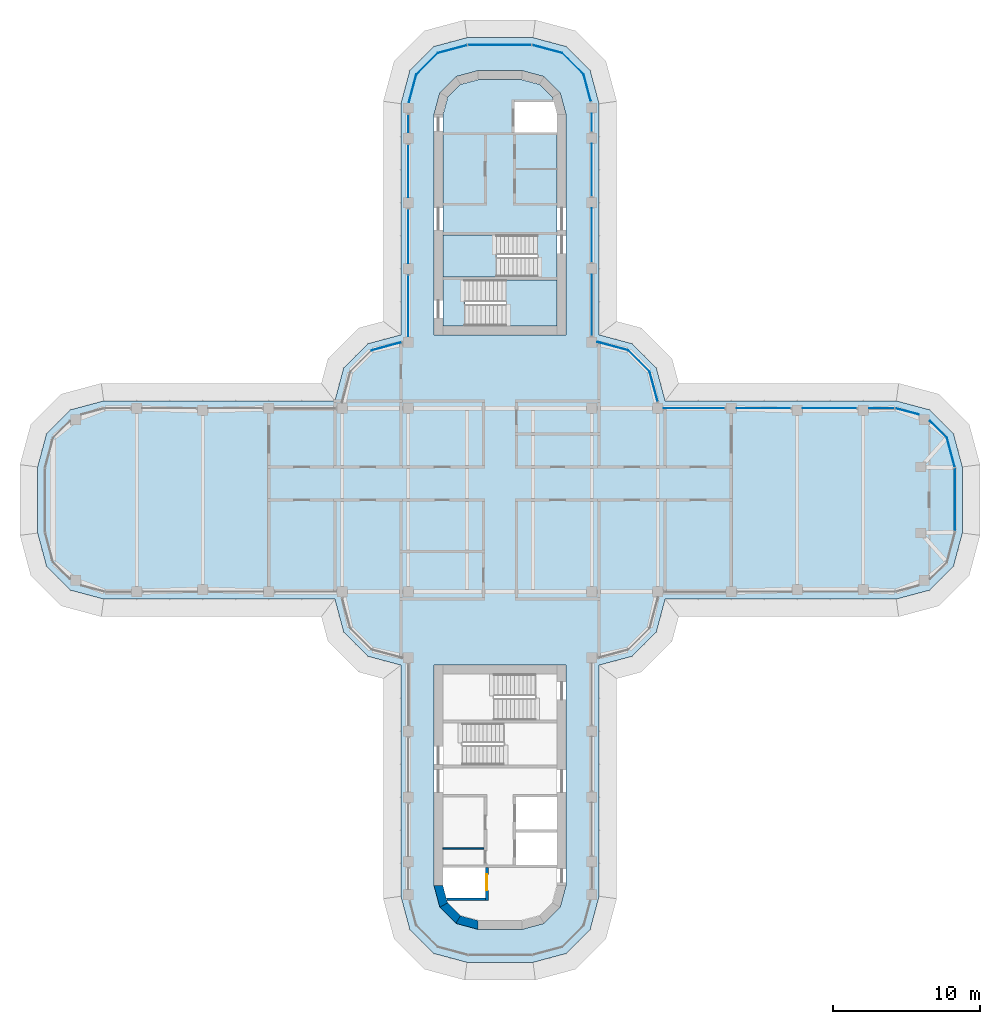
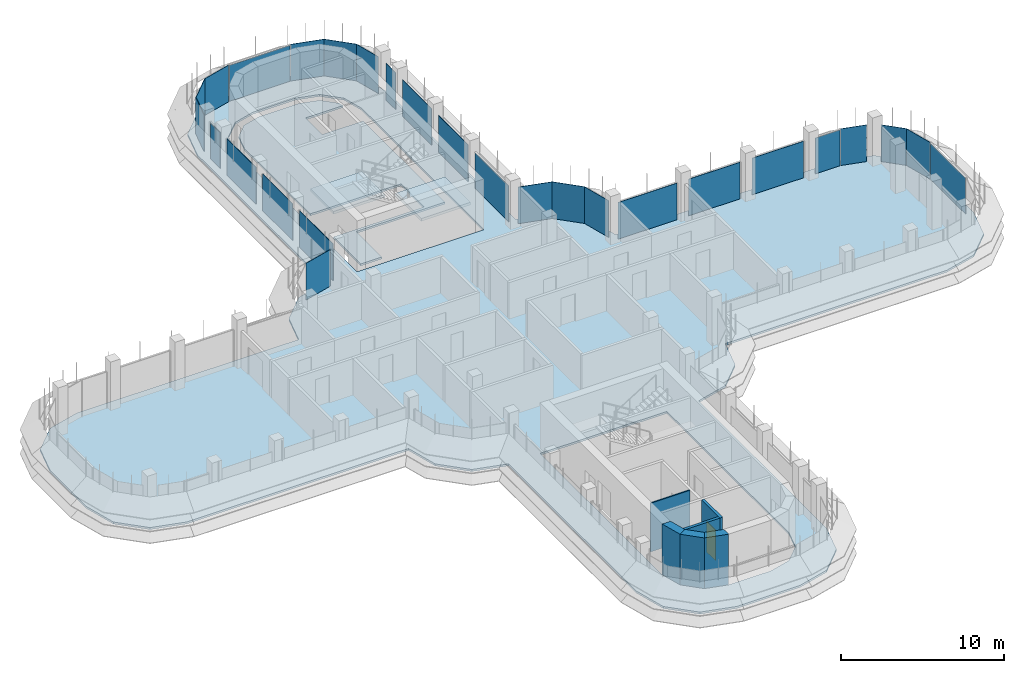
# One storey, part 12 of 18: 27 plates, 6 walls, 4 slabs, 1 door, 1 opening, 20 elements without a shape of their own.
"""IFC4 building model written with IfcOpenShell, lengths in metres."""

from ifc_helpers import new_model, si_unit, direction, frame, frame_2d, origin, place, context, subcontext, project, spatial, polyline, rectangle, outline, extrude, source, transform, mapped, material, layer, layer_set, type_object, element, fill, aggregate, save


model = new_model("IFC4")

# Units and contexts
model_context = context("Model", 3, precision=1e-05, world=origin(), true_north=direction((0.0, 1.0)))
body_context = subcontext(model_context, "Body", "Model", "MODEL_VIEW")
ifc_project = project(units=[si_unit("LENGTHUNIT", "METRE"), si_unit("AREAUNIT", "SQUARE_METRE"), si_unit("VOLUMEUNIT", "CUBIC_METRE"), si_unit("PLANEANGLEUNIT", "RADIAN"), si_unit("MASSUNIT", "GRAM", prefix="KILO")], contexts=[model_context])

# Site, building, storey
site_placement = place(None, origin())
site = spatial("IfcSite", under=ifc_project, at=site_placement, CompositionType="ELEMENT")
building_placement = place(site_placement, origin())
building = spatial("IfcBuilding", under=site, at=building_placement, Name="Zarbagh Exchange Tower", CompositionType="ELEMENT")
storey_placement = place(building_placement, frame((0.0, 0.0, 206.800048828125)))
storey = spatial("IfcBuildingStorey", under=building, at=storey_placement, Name="L50", CompositionType="ELEMENT", Elevation=206.800048828125)

# Slabs
ifc_material_1 = material(Name="Concrete C40/50", Category="concrete")
ifc_layer_1 = layer(ifc_material_1, 0.14990234375)
ifc_layer_set_1 = layer_set([ifc_layer_1], Name="Composite floor slab 150 C40/50")
slab_type_1 = type_object("IfcSlabType", Name="Composite floor slab 150 C40/50", PredefinedType="FLOOR", material=ifc_layer_set_1)
slab_1_placement = place(storey_placement, frame((0.0, 0.0, -0.150146484375)))
element("IfcSlab", 1, at=slab_1_placement, inside=storey, type_object=slab_type_1, Name="S5 composite floor slab", PredefinedType="FLOOR", context=body_context, shape_type="SweptSolid", body=[
    extrude(outline(polyline([(-2.25, -31.5), (-4.5, -30.897216796875), (-6.147216796875, -29.25), (-6.75, -27.0), (-6.75, -11.25), (-9.0, -10.647216796875), (-10.647216796875, -9.0), (-11.25, -6.75), (-27.0, -6.75), (-29.25, -6.147216796875), (-30.897216796875, -4.5), (-31.5, -2.25), (-31.5, 2.25), (-30.897216796875, 4.5), (-29.25, 6.147216796875), (-27.0, 6.75), (-11.25, 6.75), (-10.647216796875, 9.0), (-9.0, 10.647216796875), (-6.75, 11.25), (-6.75, 27.0), (-6.147216796875, 29.25), (-4.5, 30.897216796875), (-2.25, 31.5), (2.25, 31.5), (4.5, 30.897216796875), (6.147216796875, 29.25), (6.75, 27.0), (6.75, 11.25), (9.0, 10.647216796875), (10.647216796875, 9.0), (11.25, 6.75), (27.0, 6.75), (29.25, 6.147216796875), (30.897216796875, 4.5), (31.5, 2.25), (31.5, -2.25), (30.897216796875, -4.5), (29.25, -6.147216796875), (27.0, -6.75), (11.25, -6.75), (10.647216796875, -9.0), (9.0, -10.647216796875), (6.75, -11.25), (6.75, -27.0), (6.147216796875, -29.25), (4.5, -30.897216796875), (2.25, -31.5), (-2.25, -31.5)]), holes=[polyline([(4.5, 11.25), (4.5, 26.25), (4.09814453125, 27.75), (3.0, 28.84814453125), (1.5, 29.25), (-1.5, 29.25), (-3.0, 28.84814453125), (-4.09814453125, 27.75), (-4.5, 26.25), (-4.5, 11.25), (4.5, 11.25)]), polyline([(-1.5, -29.25), (1.5, -29.25), (3.0, -28.84814453125), (4.09814453125, -27.75), (4.5, -26.25), (4.5, -11.25), (-4.5, -11.25), (-4.5, -26.25), (-4.09814453125, -27.75), (-3.0, -28.84814453125), (-1.5, -29.25)])]), origin(), (0.0, 0.0, 1.0), 0.150146484375),
])
ifc_layer_2 = layer(ifc_material_1, 0.14990234375)
ifc_layer_set_2 = layer_set([ifc_layer_2], Name="Core floor slab 150 C40/50")
slab_type_2 = type_object("IfcSlabType", Name="Core floor slab 150 C40/50", PredefinedType="FLOOR", material=ifc_layer_set_2)
slab_2_placement = place(storey_placement, frame((0.0, 0.0, -0.150146484375)))
element("IfcSlab", 2, at=slab_2_placement, inside=storey, type_object=slab_type_2, Name="S17 core N", PredefinedType="FLOOR", context=body_context, shape_type="SweptSolid", body=[
    extrude(outline(polyline([(-3.89990234375, 11.85009765625), (-3.89990234375, 15.199951171875), (2.550048828125, 15.199951171875), (2.550048828125, 18.050048828125), (-3.89990234375, 18.050048828125), (-3.89990234375, 26.1708984375), (-3.56005859375, 27.439453125), (-2.689453125, 28.31005859375), (-1.4208984375, 28.64990234375), (1.4208984375, 28.64990234375), (2.689453125, 28.31005859375), (3.56005859375, 27.439453125), (3.651123046875, 27.10009765625), (1.0, 27.10009765625), (1.0, 25.050048828125), (3.89990234375, 25.050048828125), (3.89990234375, 15.0), (-2.39990234375, 15.0), (-2.39990234375, 11.85009765625), (-3.89990234375, 11.85009765625)])), origin(), (0.0, 0.0, 1.0), 0.150146484375),
])

# Stair, slab
stair_type = type_object("IfcStairType", Name="Exit stair two-flight half-turn", PredefinedType="HALF_TURN_STAIR", material=ifc_material_1)
stair_1_placement = place(storey_placement, origin())
stair_1 = element("IfcStair", 3, at=stair_1_placement, inside=storey, type_object=stair_type, Name="exit stair ST1", PredefinedType="HALF_TURN_STAIR")
ifc_layer_3 = layer(ifc_material_1, 0.199951171875)
ifc_layer_set_3 = layer_set([ifc_layer_3], Name="Stair landing 200 mm")
slab_type_3 = type_object("IfcSlabType", Name="Stair landing 200 mm", PredefinedType="LANDING", material=ifc_layer_set_3)
slab_3_placement = place(storey_placement, frame((0.0, 0.0, 1.699951171875)))
slab_3 = element("IfcSlab", 4, at=slab_3_placement, type_object=slab_type_3, Name="ST1 landing 1", PredefinedType="LANDING", context=body_context, shape_type="SweptSolid", body=[
    extrude(outline(polyline([(-0.25, 18.050048828125), (-3.89990234375, 18.050048828125), (-3.89990234375, 15.199951171875), (-0.25, 15.199951171875), (-0.25, 18.050048828125)])), origin(), (0.0, 0.0, 1.0), 0.199951171875),
])
aggregate(stair_1, [slab_3])

stair_2_placement = place(storey_placement, origin())
stair_2 = element("IfcStair", 5, at=stair_2_placement, inside=storey, type_object=stair_type, Name="exit stair ST2", PredefinedType="HALF_TURN_STAIR")
slab_4_placement = place(storey_placement, frame((0.0, 0.0, 1.699951171875)))
slab_4 = element("IfcSlab", 6, at=slab_4_placement, type_object=slab_type_3, Name="ST2 landing 1", PredefinedType="LANDING", context=body_context, shape_type="SweptSolid", body=[
    extrude(outline(polyline([(0.39990234375, 11.85009765625), (3.89990234375, 11.85009765625), (3.89990234375, 15.0), (0.39990234375, 15.0), (0.39990234375, 11.85009765625)])), origin(), (0.0, 0.0, 1.0), 0.199951171875),
])
aggregate(stair_2, [slab_4])

# Curtain wall, plate
ifc_material_2 = material(Name="Anodised aluminium frame and glazing", Category="aluminium")
curtain_wall_type = type_object("IfcCurtainWallType", Name="CWB Ribbon glazing, upper zones", PredefinedType="NOTDEFINED", material=ifc_material_2)
curtain_wall_1_placement = place(storey_placement, origin())
curtain_wall_1 = element("IfcCurtainWall", 7, at=curtain_wall_1_placement, inside=storey, type_object=curtain_wall_type, Name="CWB18 curtain wall", PredefinedType="NOTDEFINED")
ifc_material_3 = material(Name="Low-e double glazed unit, 6+12+6 mm")
ifc_layer_4 = layer(ifc_material_3, 0.031982421875)
ifc_layer_set_4 = layer_set([ifc_layer_4], Name="PAB Glazing panel, Low-e double glazed unit, 6+12+6 mm")
plate_type = type_object("IfcPlateType", Name="PAB Glazing panel, Low-e double glazed unit, 6+12+6 mm", PredefinedType="CURTAIN_PANEL", material=ifc_layer_set_4)
shared_shape_1 = source(origin(), body_context, "Body", "SweptSolid", [
    extrude(outline(polyline([(0.0, -0.01611328125), (2.061279296875, -0.01611328125), (2.061279296875, 0.01611328125), (0.0, 0.01611328125), (0.0, -0.01611328125)])), origin(), (0.0, 0.0, 1.0), 2.75),
])
placement = place(storey_placement, origin())
plate_1 = element("IfcPlate", 8, at=placement, type_object=plate_type, Name="CWB18 glazing panel 1.1", PredefinedType="CURTAIN_PANEL", context=body_context, shape_type="MappedRepresentation", body=[
    mapped(shared_shape_1, transform((10.19873046875, 8.7412109375, 0.0), x_axis=(-0.707106781187, 0.707106781187, 0.0), y_axis=(-0.707106781187, -0.707106781187, 0.0), z_axis=(0.0, 0.0, 1.0))),
])
aggregate(curtain_wall_1, [plate_1])

curtain_wall_2_placement = place(storey_placement, origin())
curtain_wall_2 = element("IfcCurtainWall", 9, at=curtain_wall_2_placement, inside=storey, type_object=curtain_wall_type, Name="CWB22 curtain wall", PredefinedType="NOTDEFINED")
plate_2 = element("IfcPlate", 10, at=placement, type_object=plate_type, Name="CWB22 glazing panel 1.1", PredefinedType="CURTAIN_PANEL", context=body_context, shape_type="MappedRepresentation", body=[
    mapped(shared_shape_1, transform((5.69873046875, 28.9912109375, 0.0), x_axis=(-0.707106781187, 0.707106781187, 0.0), y_axis=(-0.707106781187, -0.707106781187, 0.0), z_axis=(0.0, 0.0, 1.0))),
])
aggregate(curtain_wall_2, [plate_2])

curtain_wall_3_placement = place(storey_placement, origin())
curtain_wall_3 = element("IfcCurtainWall", 11, at=curtain_wall_3_placement, inside=storey, type_object=curtain_wall_type, Name="CWB26 curtain wall", PredefinedType="NOTDEFINED")
plate_3 = element("IfcPlate", 12, at=placement, type_object=plate_type, Name="CWB26 glazing panel 1.1", PredefinedType="CURTAIN_PANEL", context=body_context, shape_type="MappedRepresentation", body=[
    mapped(shared_shape_1, transform((-4.2412109375, 30.44873046875, 0.0), x_axis=(-0.707106781187, -0.707106781187, 0.0), y_axis=(0.707106781187, -0.707106781187, 0.0), z_axis=(0.0, 0.0, 1.0))),
])
aggregate(curtain_wall_3, [plate_3])

curtain_wall_4_placement = place(storey_placement, origin())
curtain_wall_4 = element("IfcCurtainWall", 13, at=curtain_wall_4_placement, inside=storey, type_object=curtain_wall_type, Name="CWB23 curtain wall", PredefinedType="NOTDEFINED")
shared_shape_2 = source(origin(), body_context, "Body", "SweptSolid", [
    extrude(outline(polyline([(0.0, -0.01611328125), (2.129638671875, -0.01611328125), (2.129638671875, 0.01611328125), (0.0, 0.01611328125), (0.0, -0.01611328125)])), origin(), (0.0, 0.0, 1.0), 2.75),
])
plate_4 = element("IfcPlate", 14, at=placement, type_object=plate_type, Name="CWB23 glazing panel 1.1", PredefinedType="CURTAIN_PANEL", context=body_context, shape_type="MappedRepresentation", body=[
    mapped(shared_shape_2, transform((4.2412109375, 30.44873046875, 0.0), x_axis=(-0.965924289636, 0.258824779902, 0.0), y_axis=(-0.258824779902, -0.965924289636, 0.0), z_axis=(0.0, 0.0, 1.0))),
])
aggregate(curtain_wall_4, [plate_4])

curtain_wall_5_placement = place(storey_placement, origin())
curtain_wall_5 = element("IfcCurtainWall", 15, at=curtain_wall_5_placement, inside=storey, type_object=curtain_wall_type, Name="CWB20 curtain wall", PredefinedType="NOTDEFINED")
shared_shape_3 = source(origin(), body_context, "Body", "SweptSolid", [
    extrude(outline(polyline([(0.0, -0.01611328125), (3.56005859375, -0.01611328125), (3.56005859375, 0.01611328125), (0.0, 0.01611328125), (0.0, -0.01611328125)])), origin(), (0.0, 0.0, 1.0), 2.75),
])
plate_5 = element("IfcPlate", 16, at=placement, type_object=plate_type, Name="CWB20 glazing panel 3.1", PredefinedType="CURTAIN_PANEL", context=body_context, shape_type="MappedRepresentation", body=[
    mapped(shared_shape_3, transform((6.25, 20.699951171875, 0.0), x_axis=(0.0, 1.0, 0.0), y_axis=(-1.0, 0.0, 0.0), z_axis=(0.0, 0.0, 1.0))),
])

curtain_wall_6_placement = place(storey_placement, origin())
curtain_wall_6 = element("IfcCurtainWall", 17, at=curtain_wall_6_placement, inside=storey, type_object=curtain_wall_type, Name="CWB28 curtain wall", PredefinedType="NOTDEFINED")
plate_6 = element("IfcPlate", 18, at=placement, type_object=plate_type, Name="CWB28 glazing panel 2.1", PredefinedType="CURTAIN_PANEL", context=body_context, shape_type="MappedRepresentation", body=[
    mapped(shared_shape_3, transform((-6.25, 24.199951171875, 0.0), x_axis=(0.0, -1.0, 0.0), y_axis=(1.0, 0.0, 0.0), z_axis=(0.0, 0.0, 1.0))),
])

curtain_wall_7_placement = place(storey_placement, origin())
curtain_wall_7 = element("IfcCurtainWall", 19, at=curtain_wall_7_placement, inside=storey, type_object=curtain_wall_type, Name="CWB12 curtain wall", PredefinedType="NOTDEFINED")
shared_shape_4 = source(origin(), body_context, "Body", "SweptSolid", [
    extrude(outline(polyline([(0.0, -0.01611328125), (4.308349609375, -0.01611328125), (4.308349609375, 0.01611328125), (0.0, 0.01611328125), (0.0, -0.01611328125)])), origin(), (0.0, 0.0, 1.0), 2.68994140625),
])
plate_7 = element("IfcPlate", 20, at=placement, type_object=plate_type, Name="CWB12 glazing panel 1.1", PredefinedType="CURTAIN_PANEL", context=body_context, shape_type="MappedRepresentation", body=[
    mapped(shared_shape_4, transform((31.0, -2.124267578125, 0.0), x_axis=(0.0, 1.0, 0.0), y_axis=(-1.0, 0.0, 0.0), z_axis=(0.0, 0.0, 1.0))),
])
aggregate(curtain_wall_7, [plate_7])

curtain_wall_8_placement = place(storey_placement, origin())
curtain_wall_8 = element("IfcCurtainWall", 21, at=curtain_wall_8_placement, inside=storey, type_object=curtain_wall_type, Name="CWB24 curtain wall", PredefinedType="NOTDEFINED")
plate_8 = element("IfcPlate", 22, at=placement, type_object=plate_type, Name="CWB24 glazing panel 1.1", PredefinedType="CURTAIN_PANEL", context=body_context, shape_type="MappedRepresentation", body=[
    mapped(shared_shape_4, transform((2.124267578125, 31.0, 0.0), x_axis=(-1.0, 0.0, 0.0), y_axis=(0.0, -1.0, 0.0), z_axis=(0.0, 0.0, 1.0))),
])
aggregate(curtain_wall_8, [plate_8])

curtain_wall_9_placement = place(storey_placement, origin())
curtain_wall_9 = element("IfcCurtainWall", 23, at=curtain_wall_9_placement, inside=storey, type_object=curtain_wall_type, Name="CWB13 curtain wall", PredefinedType="NOTDEFINED")
shared_shape_5 = source(origin(), body_context, "Body", "SweptSolid", [
    extrude(outline(polyline([(0.0, -0.01611328125), (2.069580078125, -0.01611328125), (2.069580078125, 0.01611328125), (0.0, 0.01611328125), (0.0, -0.01611328125)])), origin(), (0.0, 0.0, 1.0), 2.75),
])
plate_9 = element("IfcPlate", 24, at=placement, type_object=plate_type, Name="CWB13 glazing panel 1.1", PredefinedType="CURTAIN_PANEL", context=body_context, shape_type="MappedRepresentation", body=[
    mapped(shared_shape_5, transform((30.984375, 2.2421875, 0.0), x_axis=(-0.258824779902, 0.965924289636, 0.0), y_axis=(-0.965924289636, -0.258824779902, 0.0), z_axis=(0.0, 0.0, 1.0))),
])
aggregate(curtain_wall_9, [plate_9])

curtain_wall_10_placement = place(storey_placement, origin())
curtain_wall_10 = element("IfcCurtainWall", 25, at=curtain_wall_10_placement, inside=storey, type_object=curtain_wall_type, Name="CWB25 curtain wall", PredefinedType="NOTDEFINED")
plate_10 = element("IfcPlate", 26, at=placement, type_object=plate_type, Name="CWB25 glazing panel 1.1", PredefinedType="CURTAIN_PANEL", context=body_context, shape_type="MappedRepresentation", body=[
    mapped(shared_shape_5, transform((-2.2421875, 30.984375, 0.0), x_axis=(-0.965924289636, -0.258824779902, 0.0), y_axis=(0.258824779902, -0.965924289636, 0.0), z_axis=(0.0, 0.0, 1.0))),
])
aggregate(curtain_wall_10, [plate_10])

# Curtain wall, plates
curtain_wall_11_placement = place(storey_placement, origin())
curtain_wall_11 = element("IfcCurtainWall", 27, at=curtain_wall_11_placement, inside=storey, type_object=curtain_wall_type, Name="CWB16 curtain wall", PredefinedType="NOTDEFINED")
shared_shape_6 = source(origin(), body_context, "Body", "SweptSolid", [
    extrude(outline(polyline([(0.0, -0.01611328125), (3.659912109375, -0.01611328125), (3.659912109375, 0.01611328125), (0.0, 0.01611328125), (0.0, -0.01611328125)])), origin(), (0.0, 0.0, 1.0), 2.75),
])
plate_11 = element("IfcPlate", 28, at=placement, type_object=plate_type, Name="CWB16 glazing panel 2.1", PredefinedType="CURTAIN_PANEL", context=body_context, shape_type="MappedRepresentation", body=[
    mapped(shared_shape_6, transform((24.300048828125, 6.25, 0.0), x_axis=(-1.0, 0.0, 0.0), y_axis=(0.0, -1.0, 0.0), z_axis=(0.0, 0.0, 1.0))),
])
plate_12 = element("IfcPlate", 29, at=placement, type_object=plate_type, Name="CWB16 glazing panel 3.1", PredefinedType="CURTAIN_PANEL", context=body_context, shape_type="MappedRepresentation", body=[
    mapped(shared_shape_6, transform((19.800048828125, 6.25, 0.0), x_axis=(-1.0, 0.0, 0.0), y_axis=(0.0, -1.0, 0.0), z_axis=(0.0, 0.0, 1.0))),
])

# Plate
plate_13 = element("IfcPlate", 30, at=placement, type_object=plate_type, Name="CWB20 glazing panel 2.1", PredefinedType="CURTAIN_PANEL", context=body_context, shape_type="MappedRepresentation", body=[
    mapped(shared_shape_6, transform((6.25, 16.199951171875, 0.0), x_axis=(0.0, 1.0, 0.0), y_axis=(-1.0, 0.0, 0.0), z_axis=(0.0, 0.0, 1.0))),
])

plate_14 = element("IfcPlate", 31, at=placement, type_object=plate_type, Name="CWB28 glazing panel 3.1", PredefinedType="CURTAIN_PANEL", context=body_context, shape_type="MappedRepresentation", body=[
    mapped(shared_shape_6, transform((-6.25, 19.800048828125, 0.0), x_axis=(0.0, -1.0, 0.0), y_axis=(1.0, 0.0, 0.0), z_axis=(0.0, 0.0, 1.0))),
])

shared_shape_7 = source(origin(), body_context, "Body", "SweptSolid", [
    extrude(outline(polyline([(0.0, -0.01611328125), (4.159912109375, -0.01611328125), (4.159912109375, 0.01611328125), (0.0, 0.01611328125), (0.0, -0.01611328125)])), origin(), (0.0, 0.0, 1.0), 2.75),
])
plate_15 = element("IfcPlate", 32, at=placement, type_object=plate_type, Name="CWB16 glazing panel 4.1", PredefinedType="CURTAIN_PANEL", context=body_context, shape_type="MappedRepresentation", body=[
    mapped(shared_shape_7, transform((15.300048828125, 6.25, 0.0), x_axis=(-1.0, 0.0, 0.0), y_axis=(0.0, -1.0, 0.0), z_axis=(0.0, 0.0, 1.0))),
])

plate_16 = element("IfcPlate", 33, at=placement, type_object=plate_type, Name="CWB28 glazing panel 4.1", PredefinedType="CURTAIN_PANEL", context=body_context, shape_type="MappedRepresentation", body=[
    mapped(shared_shape_7, transform((-6.25, 15.300048828125, 0.0), x_axis=(0.0, -1.0, 0.0), y_axis=(1.0, 0.0, 0.0), z_axis=(0.0, 0.0, 1.0))),
])

# Curtain wall, plate
curtain_wall_12_placement = place(storey_placement, origin())
curtain_wall_12 = element("IfcCurtainWall", 34, at=curtain_wall_12_placement, inside=storey, type_object=curtain_wall_type, Name="CWB17 curtain wall", PredefinedType="NOTDEFINED")
shared_shape_8 = source(origin(), body_context, "Body", "SweptSolid", [
    extrude(outline(polyline([(0.0, -0.01611328125), (2.115234375, -0.01611328125), (2.115234375, 0.01611328125), (0.0, 0.01611328125), (0.0, -0.01611328125)])), origin(), (0.0, 0.0, 1.0), 2.75),
])
plate_17 = element("IfcPlate", 35, at=placement, type_object=plate_type, Name="CWB17 glazing panel 1.1", PredefinedType="CURTAIN_PANEL", context=body_context, shape_type="MappedRepresentation", body=[
    mapped(shared_shape_8, transform((10.746337890625, 6.697998046875, 0.0), x_axis=(-0.258824779902, 0.965924289636, 0.0), y_axis=(-0.965924289636, -0.258824779902, 0.0), z_axis=(0.0, 0.0, 1.0))),
])
aggregate(curtain_wall_12, [plate_17])

curtain_wall_13_placement = place(storey_placement, origin())
curtain_wall_13 = element("IfcCurtainWall", 36, at=curtain_wall_13_placement, inside=storey, type_object=curtain_wall_type, Name="CWB29 curtain wall", PredefinedType="NOTDEFINED")
plate_18 = element("IfcPlate", 37, at=placement, type_object=plate_type, Name="CWB29 glazing panel 1.1", PredefinedType="CURTAIN_PANEL", context=body_context, shape_type="MappedRepresentation", body=[
    mapped(shared_shape_8, transform((-6.697998046875, 10.746337890625, 0.0), x_axis=(-0.965924289636, -0.258824779902, 0.0), y_axis=(0.258824779902, -0.965924289636, 0.0), z_axis=(0.0, 0.0, 1.0))),
])
aggregate(curtain_wall_13, [plate_18])

curtain_wall_14_placement = place(storey_placement, origin())
curtain_wall_14 = element("IfcCurtainWall", 38, at=curtain_wall_14_placement, inside=storey, type_object=curtain_wall_type, Name="CWB19 curtain wall", PredefinedType="NOTDEFINED")
shared_shape_9 = source(origin(), body_context, "Body", "SweptSolid", [
    extrude(outline(polyline([(0.0, -0.01611328125), (2.17529296875, -0.01611328125), (2.17529296875, 0.01611328125), (0.0, 0.01611328125), (0.0, -0.01611328125)])), origin(), (0.0, 0.0, 1.0), 2.75),
])
plate_19 = element("IfcPlate", 39, at=placement, type_object=plate_type, Name="CWB19 glazing panel 1.1", PredefinedType="CURTAIN_PANEL", context=body_context, shape_type="MappedRepresentation", body=[
    mapped(shared_shape_9, transform((8.7412109375, 10.19873046875, 0.0), x_axis=(-0.965924289636, 0.258824779902, 0.0), y_axis=(-0.258824779902, -0.965924289636, 0.0), z_axis=(0.0, 0.0, 1.0))),
])
aggregate(curtain_wall_14, [plate_19])

# Plate
shared_shape_10 = source(origin(), body_context, "Body", "SweptSolid", [
    extrude(outline(polyline([(0.0, -0.01611328125), (4.159912109375, -0.01611328125), (4.159912109375, 0.01611328125), (0.0, 0.01611328125), (0.0, -0.01611328125)])), origin(), (0.0, 0.0, 1.0), 2.68994140625),
])
plate_20 = element("IfcPlate", 40, at=placement, type_object=plate_type, Name="CWB20 glazing panel 1.1", PredefinedType="CURTAIN_PANEL", context=body_context, shape_type="MappedRepresentation", body=[
    mapped(shared_shape_10, transform((6.25, 11.199951171875, 0.0), x_axis=(0.0, 1.0, 0.0), y_axis=(-1.0, 0.0, 0.0), z_axis=(0.0, 0.0, 1.0))),
])

# Curtain wall, plate
curtain_wall_15_placement = place(storey_placement, origin())
curtain_wall_15 = element("IfcCurtainWall", 41, at=curtain_wall_15_placement, inside=storey, type_object=curtain_wall_type, Name="CWB14 curtain wall", PredefinedType="NOTDEFINED")
shared_shape_11 = source(origin(), body_context, "Body", "SweptSolid", [
    extrude(outline(polyline([(0.0, -0.01611328125), (1.62744140625, -0.01611328125), (1.62744140625, 0.01611328125), (0.0, 0.01611328125), (0.0, -0.01611328125)])), origin(), (0.0, 0.0, 1.0), 2.75),
])
plate_21 = element("IfcPlate", 42, at=placement, type_object=plate_type, Name="CWB14 glazing panel 1.1", PredefinedType="CURTAIN_PANEL", context=body_context, shape_type="MappedRepresentation", body=[
    mapped(shared_shape_11, transform((30.44873046875, 4.2412109375, 0.0), x_axis=(-0.707106781187, 0.707106781187, 0.0), y_axis=(-0.707106781187, -0.707106781187, 0.0), z_axis=(0.0, 0.0, 1.0))),
])
aggregate(curtain_wall_15, [plate_21])

curtain_wall_16_placement = place(storey_placement, origin())
curtain_wall_16 = element("IfcCurtainWall", 43, at=curtain_wall_16_placement, inside=storey, type_object=curtain_wall_type, Name="CWB15 curtain wall", PredefinedType="NOTDEFINED")
shared_shape_12 = source(origin(), body_context, "Body", "SweptSolid", [
    extrude(outline(polyline([(0.0, -0.01611328125), (1.6396484375, -0.01611328125), (1.6396484375, 0.01611328125), (0.0, 0.01611328125), (0.0, -0.01611328125)])), origin(), (0.0, 0.0, 1.0), 2.75),
])
plate_22 = element("IfcPlate", 44, at=placement, type_object=plate_type, Name="CWB15 glazing panel 1.1", PredefinedType="CURTAIN_PANEL", context=body_context, shape_type="MappedRepresentation", body=[
    mapped(shared_shape_12, transform((28.51806640625, 5.82568359375, 0.0), x_axis=(-0.965924289636, 0.258824779902, 0.0), y_axis=(-0.258824779902, -0.965924289636, 0.0), z_axis=(0.0, 0.0, 1.0))),
])
aggregate(curtain_wall_16, [plate_22])

# Plate
shared_shape_13 = source(origin(), body_context, "Body", "SweptSolid", [
    extrude(outline(polyline([(0.0, -0.01611328125), (1.734130859375, -0.01611328125), (1.734130859375, 0.01611328125), (0.0, 0.01611328125), (0.0, -0.01611328125)])), origin(), (0.0, 0.0, 1.0), 2.68994140625),
])
plate_23 = element("IfcPlate", 45, at=placement, type_object=plate_type, Name="CWB16 glazing panel 1.1", PredefinedType="CURTAIN_PANEL", context=body_context, shape_type="MappedRepresentation", body=[
    mapped(shared_shape_13, transform((26.874267578125, 6.25, 0.0), x_axis=(-1.0, 0.0, 0.0), y_axis=(0.0, -1.0, 0.0), z_axis=(0.0, 0.0, 1.0))),
])

aggregate(curtain_wall_11, [plate_23, plate_11, plate_12, plate_15])

shared_shape_14 = source(origin(), body_context, "Body", "SweptSolid", [
    extrude(outline(polyline([(0.0, -0.01611328125), (1.2099609375, -0.01611328125), (1.2099609375, 0.01611328125), (0.0, 0.01611328125), (0.0, -0.01611328125)])), origin(), (0.0, 0.0, 1.0), 2.75),
])
plate_24 = element("IfcPlate", 46, at=placement, type_object=plate_type, Name="CWB20 glazing panel 4.1", PredefinedType="CURTAIN_PANEL", context=body_context, shape_type="MappedRepresentation", body=[
    mapped(shared_shape_14, transform((6.25, 25.10009765625, 0.0), x_axis=(0.0, 1.0, 0.0), y_axis=(-1.0, 0.0, 0.0), z_axis=(0.0, 0.0, 1.0))),
])

aggregate(curtain_wall_5, [plate_20, plate_13, plate_5, plate_24])

# Curtain wall, plate
curtain_wall_17_placement = place(storey_placement, origin())
curtain_wall_17 = element("IfcCurtainWall", 47, at=curtain_wall_17_placement, inside=storey, type_object=curtain_wall_type, Name="CWB21 curtain wall", PredefinedType="NOTDEFINED")
shared_shape_15 = source(origin(), body_context, "Body", "SweptSolid", [
    extrude(outline(polyline([(0.0, -0.01611328125), (1.908203125, -0.01611328125), (1.908203125, 0.01611328125), (0.0, 0.01611328125), (0.0, -0.01611328125)])), origin(), (0.0, 0.0, 1.0), 2.75),
])
plate_25 = element("IfcPlate", 48, at=placement, type_object=plate_type, Name="CWB21 glazing panel 1.1", PredefinedType="CURTAIN_PANEL", context=body_context, shape_type="MappedRepresentation", body=[
    mapped(shared_shape_15, transform((6.192626953125, 27.14794921875, 0.0), x_axis=(-0.258824779902, 0.965924289636, 0.0), y_axis=(-0.965924289636, -0.258824779902, 0.0), z_axis=(0.0, 0.0, 1.0))),
])
aggregate(curtain_wall_17, [plate_25])

curtain_wall_18_placement = place(storey_placement, origin())
curtain_wall_18 = element("IfcCurtainWall", 49, at=curtain_wall_18_placement, inside=storey, type_object=curtain_wall_type, Name="CWB27 curtain wall", PredefinedType="NOTDEFINED")
shared_shape_16 = source(origin(), body_context, "Body", "SweptSolid", [
    extrude(outline(polyline([(0.0, -0.01611328125), (1.96826171875, -0.01611328125), (1.96826171875, 0.01611328125), (0.0, 0.01611328125), (0.0, -0.01611328125)])), origin(), (0.0, 0.0, 1.0), 2.75),
])
plate_26 = element("IfcPlate", 50, at=placement, type_object=plate_type, Name="CWB27 glazing panel 1.1", PredefinedType="CURTAIN_PANEL", context=body_context, shape_type="MappedRepresentation", body=[
    mapped(shared_shape_16, transform((-5.69873046875, 28.9912109375, 0.0), x_axis=(-0.258824779902, -0.965924289636, 0.0), y_axis=(0.965924289636, -0.258824779902, 0.0), z_axis=(0.0, 0.0, 1.0))),
])
aggregate(curtain_wall_18, [plate_26])

# Plate
shared_shape_17 = source(origin(), body_context, "Body", "SweptSolid", [
    extrude(outline(polyline([(0.0, -0.01611328125), (1.2099609375, -0.01611328125), (1.2099609375, 0.01611328125), (0.0, 0.01611328125), (0.0, -0.01611328125)])), origin(), (0.0, 0.0, 1.0), 2.68994140625),
])
plate_27 = element("IfcPlate", 51, at=placement, type_object=plate_type, Name="CWB28 glazing panel 1.1", PredefinedType="CURTAIN_PANEL", context=body_context, shape_type="MappedRepresentation", body=[
    mapped(shared_shape_17, transform((-6.25, 26.25, 0.0), x_axis=(0.0, -1.0, 0.0), y_axis=(1.0, 0.0, 0.0), z_axis=(0.0, 0.0, 1.0))),
])

aggregate(curtain_wall_6, [plate_27, plate_6, plate_14, plate_16])

# Walls
ifc_material_4 = material(Name="Dense blockwork", Category="masonry")
ifc_layer_5 = layer(ifc_material_4, 0.10009765625)
ifc_layer_set_5 = layer_set([ifc_layer_5], Name="Core partition 100 mm blockwork")
wall_type_1 = type_object("IfcWallType", Name="Core partition 100 mm blockwork", PredefinedType="PARTITIONING", material=ifc_layer_set_5)
wall_1_placement = place(storey_placement, frame((-1.10009765625, -23.75, 0.0), z_axis=(0.0, 0.0, 1.0), x_axis=(-1.0, 0.0, 0.0)))
element("IfcWall", 52, at=wall_1_placement, inside=storey, type_object=wall_type_1, Name="South core partition wall CUT-E-460", PredefinedType="PARTITIONING", context=body_context, shape_type="SweptSolid", body=[
    extrude(rectangle(XDim=2.7998046875, YDim=0.10009765625, at=frame_2d((1.39990234375, 0.0))), origin(), (0.0, 0.0, 1.0), 3.64990234375),
])
ifc_material_5 = material(Name="Concrete C50/60", Category="concrete")
ifc_layer_6 = layer(ifc_material_5, 0.60009765625)
ifc_layer_set_6 = layer_set([ifc_layer_6], Name="RC core corner wall 600 C50/60")
wall_type_2 = type_object("IfcWallType", Name="RC core corner wall 600 C50/60", PredefinedType="SHEAR", material=ifc_layer_set_6)
wall_2_placement = place(storey_placement, origin())
element("IfcWall", 53, at=wall_2_placement, inside=storey, type_object=wall_type_2, Name="CW8 core S corner W", PredefinedType="SHEAR", context=body_context, shape_type="SweptSolid", body=[
    extrude(outline(polyline([(-4.5, -26.25), (-4.09814453125, -27.75), (-3.57861328125, -27.449951171875), (-3.89990234375, -26.25), (-4.5, -26.25)])), origin(), (0.0, 0.0, 1.0), 3.800048828125),
])
wall_3_placement = place(storey_placement, origin())
element("IfcWall", 54, at=wall_3_placement, inside=storey, type_object=wall_type_2, Name="CW8 core S corner W", PredefinedType="SHEAR", context=body_context, shape_type="SweptSolid", body=[
    extrude(outline(polyline([(-4.09814453125, -27.75), (-3.0, -28.84814453125), (-2.699951171875, -28.32861328125), (-3.57861328125, -27.449951171875), (-4.09814453125, -27.75)])), origin(), (0.0, 0.0, 1.0), 3.800048828125),
])
wall_4_placement = place(storey_placement, origin())
element("IfcWall", 55, at=wall_4_placement, inside=storey, type_object=wall_type_2, Name="CW8 core S corner W", PredefinedType="SHEAR", context=body_context, shape_type="SweptSolid", body=[
    extrude(outline(polyline([(-3.0, -28.84814453125), (-1.5, -29.25), (-1.5, -28.64990234375), (-2.699951171875, -28.32861328125), (-3.0, -28.84814453125)])), origin(), (0.0, 0.0, 1.0), 3.800048828125),
])

# Wall, opening, door
ifc_layer_7 = layer(ifc_material_1, 0.199951171875)
ifc_layer_set_7 = layer_set([ifc_layer_7], Name="Stair enclosure wall 200 mm RC C40/50")
wall_type_3 = type_object("IfcWallType", Name="Stair enclosure wall 200 mm RC C40/50", PredefinedType="SHEAR", material=ifc_layer_set_7)
wall_5_placement = place(storey_placement, frame((-0.89990234375, -27.300048828125, 0.0), z_axis=(0.0, 0.0, 1.0), x_axis=(0.0, 1.0, 0.0)))
wall_5 = element("IfcWall", 56, at=wall_5_placement, inside=storey, type_object=wall_type_3, Name="South core lift shaft wall FFL", PredefinedType="SHEAR", context=body_context, shape_type="SweptSolid", body=[
    extrude(rectangle(XDim=2.25, YDim=0.199951171875, at=frame_2d((1.125, 0.0))), origin(), (0.0, 0.0, 1.0), 3.64990234375),
])
opening_placement = place(wall_5_placement, frame((0.699951171875, 0.0, 0.0)))
opening = element("IfcOpeningElement", 57, at=opening_placement, cuts=wall_5, Name="Opening LD-1100", PredefinedType="OPENING", context=body_context, shape_type="SweptSolid", body=[
    extrude(rectangle(XDim=1.10009765625, YDim=2.300048828125, at=frame_2d((0.550048828125, 1.14990234375))), frame((0.0, 0.10986328125, 0.0), z_axis=(0.0, -1.0, 0.0), x_axis=(1.0, 0.0, 0.0)), (0.0, 0.0, 1.0), 0.219970703125),
])
ifc_material_6 = material(Name="Stainless steel", Category="steel")
door_type = type_object("IfcDoorType", Name="Lift landing door 1100 x 2300", OperationType="NOTDEFINED", PredefinedType="DOOR", material=ifc_material_6)
door_placement = place(opening_placement, origin())
door = element("IfcDoor", 58, at=door_placement, inside=storey, type_object=door_type, Name="South core lift landing door LD-F", OperationType="DOUBLE_DOOR_SLIDING", OverallHeight=2.300048828125, OverallWidth=1.10009765625, PredefinedType="DOOR", context=body_context, shape_type="SweptSolid", body=[
    extrude(rectangle(XDim=1.10009765625, YDim=2.300048828125, at=frame_2d((0.550048828125, 1.14990234375))), frame((0.0, 0.02490234375, 0.0), z_axis=(0.0, -1.0, 0.0), x_axis=(1.0, 0.0, 0.0)), (0.0, 0.0, 1.0), 0.050048828125),
])
fill(opening, door)

# Wall
wall_6_placement = place(storey_placement, origin())
element("IfcWall", 59, at=wall_6_placement, inside=storey, type_object=wall_type_3, Name="South core lift shaft wall FFX", PredefinedType="SHEAR", context=body_context, shape_type="SweptSolid", body=[
    extrude(outline(polyline([(-1.0, -27.10009765625), (-3.651123046875, -27.10009765625), (-3.597412109375, -27.300048828125), (-1.0, -27.300048828125), (-1.0, -27.10009765625)])), origin(), (0.0, 0.0, 1.0), 3.64990234375),
])

save(model, "model.ifc")
